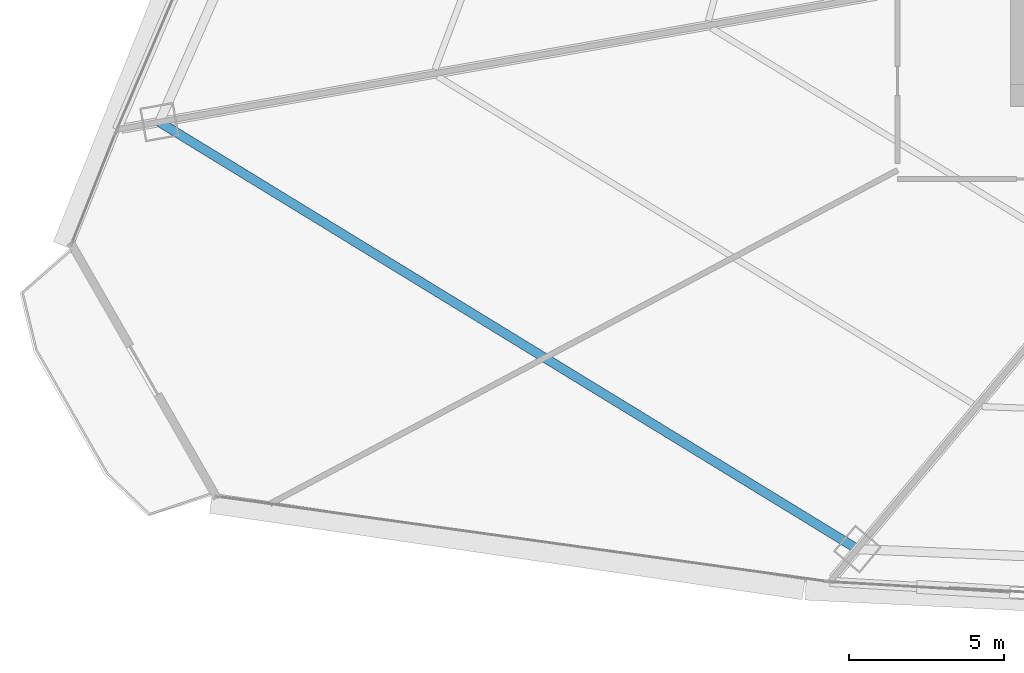
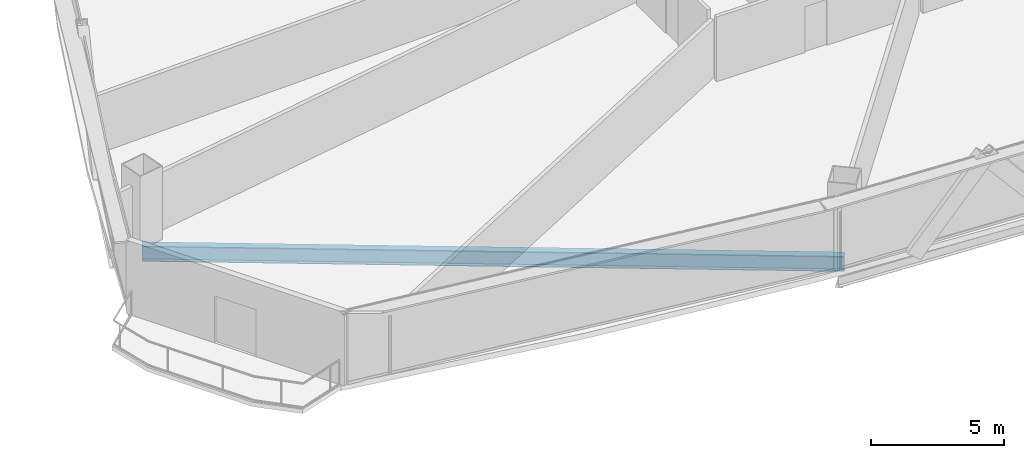
# One storey, part 5 of 37: 1 beam.
"""IFC4 building model written with IfcOpenShell, lengths in metres."""

from ifc_helpers import new_model, si_unit, direction, frame, origin, origin_2d, place, context, subcontext, project, spatial, i_section, extrude, source, transform, mapped, material, material_profile, profile_set, type_object, element, save


model = new_model("IFC4")

# Units and contexts
model_context = context("Model", 3, precision=1e-05, world=origin(), true_north=direction((0.0, 1.0)))
body_context = subcontext(model_context, "Body", "Model", "MODEL_VIEW")
ifc_project = project(units=[si_unit("LENGTHUNIT", "METRE"), si_unit("AREAUNIT", "SQUARE_METRE"), si_unit("VOLUMEUNIT", "CUBIC_METRE"), si_unit("PLANEANGLEUNIT", "RADIAN"), si_unit("MASSUNIT", "GRAM", prefix="KILO"), si_unit("THERMODYNAMICTEMPERATUREUNIT", "KELVIN"), si_unit("POWERUNIT", "WATT")], contexts=[model_context])

# Site, building, storey
site_placement = place(None, origin())
site = spatial("IfcSite", under=ifc_project, at=site_placement, CompositionType="ELEMENT")
building_placement = place(site_placement, origin())
building = spatial("IfcBuilding", under=site, at=building_placement, Name="Yunzhuo Pagoda Commons", CompositionType="ELEMENT")
storey_placement = place(building_placement, frame((0.0, 0.0, 52.179931640625)))
storey = spatial("IfcBuildingStorey", under=building, at=storey_placement, Name="L13", CompositionType="ELEMENT", Elevation=52.179931640625)

# Beam
ifc_material = material(Name="Structural steel Q355B", Category="steel")
ifc_material_profile = material_profile(ifc_material, i_section(OverallWidth=0.300048828125, OverallDepth=0.699951171875, WebThickness=0.012939453125, FlangeThickness=0.02392578125, at=origin_2d()), Name="Structural steel Q355B")
ifc_profile_set = profile_set([ifc_material_profile], Name="Structural steel Q355B")
beam_type = type_object("IfcBeamType", Name="B-RG1 Beam HN 700x300x13x24", PredefinedType="BEAM", material=ifc_profile_set)
shared_shape = source(origin(), body_context, "Body", "SweptSolid", [
    extrude(i_section(OverallWidth=0.300048828125, OverallDepth=0.699951171875, WebThickness=0.012939453125, FlangeThickness=0.02392578125, at=origin_2d()), origin(), (0.0, 0.0, 1.0), 26.432373046875),
])
beam_placement = place(storey_placement, frame((7.952392578125, 26.638427734375, -0.60986328125), z_axis=(0.853031728928, -0.521859051318, 0.0), x_axis=(0.521859051318, 0.853031728928, 0.0)))
element("IfcBeam", 1, at=beam_placement, inside=storey, type_object=beam_type, Name="L13 column-ring beam 12", PredefinedType="BEAM", context=body_context, shape_type="MappedRepresentation", body=[
    mapped(shared_shape, transform((0.0, 0.0, 0.0), scale=1.0)),
])

save(model, "model.ifc")
